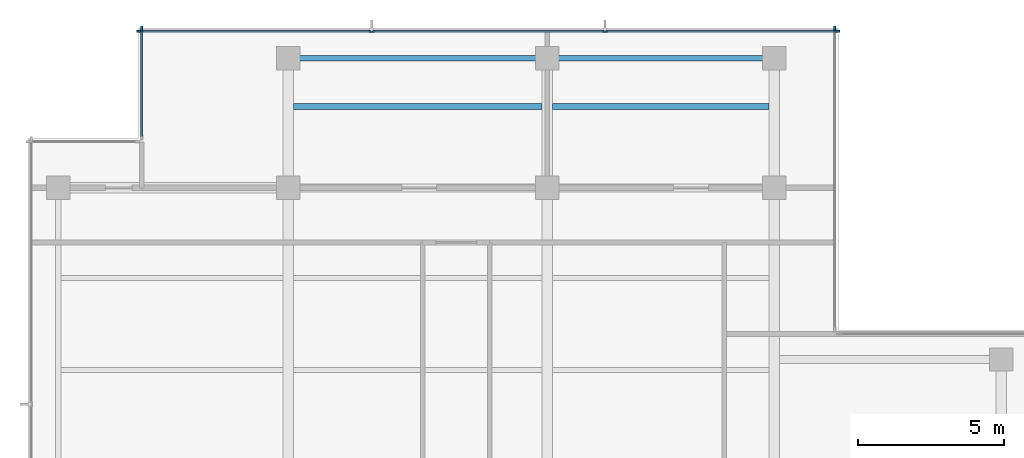
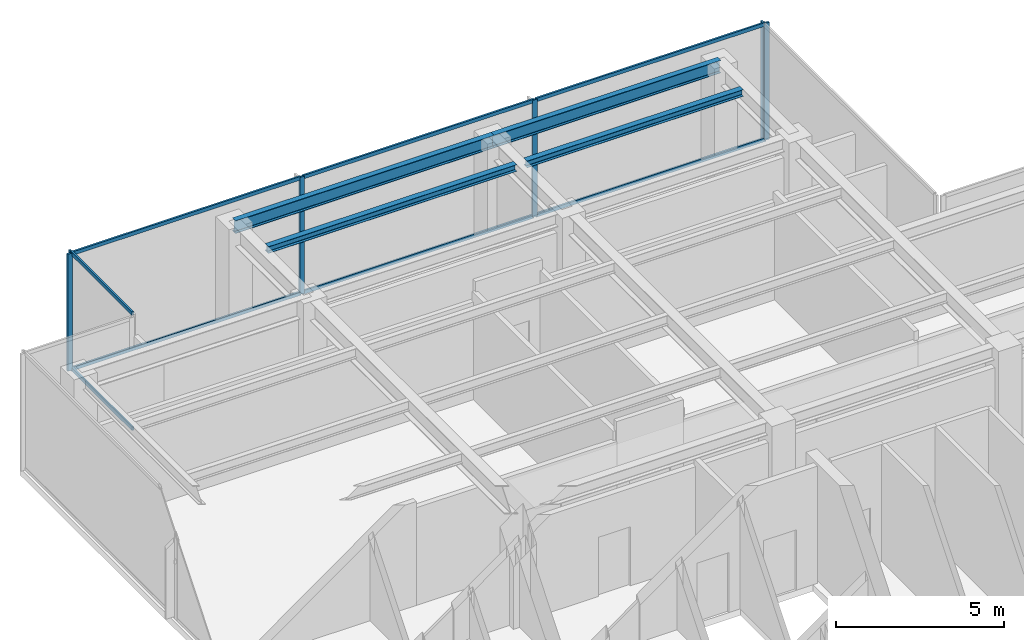
# One storey, part 4 of 11: 14 members, 4 beams, 3 elements without a shape of their own.
"""IFC4 building model written with IfcOpenShell, lengths in metres."""

import ifcopenshell
import ifcopenshell.guid

model = None  # the IFC model being written
_history = None  # IfcOwnerHistory: only IFC2X3 demands one
_inside = {}  # id of a spatial element -> (the spatial element, [elements in it])
_under = {}  # id of a project, library or spatial element -> (it, [spatial elements below it])
_declared = {}  # id of a project -> (the project, [libraries it declares])
_typed = {}  # id of a type object -> (the type object, [elements of that type])
_made_of = {}  # id of a material, layer set ... -> (it, [elements and type objects made of it])


def new_model(schema):
    """Start an empty IFC model of exactly this schema.

    Asked for "IFC4X3", IfcOpenShell would pick the latest addendum, in which some entities
    have other attributes; the version numbers below select the first issue.
    IFC2X3 requires an IfcOwnerHistory on every rooted entity: one is made here for all.
    """
    global model, _history
    if schema == "IFC4X3":
        model = ifcopenshell.file(schema_version=(4, 3, 0, 0))
    else:
        model = ifcopenshell.file(schema=schema)
    _inside.clear()
    _under.clear()
    _declared.clear()
    _typed.clear()
    _made_of.clear()
    _history = None
    if model.schema == "IFC2X3":
        org = make("IfcOrganization", Name="unknown")
        user = make(
            "IfcPersonAndOrganization",
            ThePerson=make("IfcPerson", FamilyName="unknown"),
            TheOrganization=org,
        )
        app = make(
            "IfcApplication",
            ApplicationDeveloper=org,
            Version="unknown",
            ApplicationFullName="unknown",
            ApplicationIdentifier="unknown",
        )
        _history = make(
            "IfcOwnerHistory",
            OwningUser=user,
            OwningApplication=app,
            ChangeAction="ADDED",
            CreationDate=0,
        )
    return model


def make(cls, **values):
    """One entity of the class cls with the attributes given. An attribute that is None is left unset."""
    return model.create_entity(
        cls, **{name: value for name, value in values.items() if value is not None}
    )


def rooted(cls, **values):
    """An entity with a GlobalId (a new one), such as an element, a storey or a relation."""
    return make(cls, GlobalId=ifcopenshell.guid.new(), OwnerHistory=_history, **values)


def si_unit(unit_type, name, prefix=None):
    """IfcSIUnit, for example si_unit("LENGTHUNIT", "METRE", prefix="MILLI")."""
    return make("IfcSIUnit", UnitType=unit_type, Prefix=prefix, Name=name)


def assignment(units):
    """IfcUnitAssignment: the units of a project."""
    return None if units is None else make("IfcUnitAssignment", Units=units)


def point(xyz):
    """IfcCartesianPoint."""
    return None if xyz is None else make("IfcCartesianPoint", Coordinates=xyz)


def direction(xyz):
    """IfcDirection."""
    return None if xyz is None else make("IfcDirection", DirectionRatios=xyz)


def frame(location, z_axis=None, x_axis=None):
    """IfcAxis2Placement3D, a coordinate frame: its origin and axes. An axis left out is left unset."""
    return make(
        "IfcAxis2Placement3D",
        Location=point(location),
        Axis=direction(z_axis),
        RefDirection=direction(x_axis),
    )


def frame_2d(location, x_axis=None):
    """IfcAxis2Placement2D, a coordinate frame in the plane: its origin and x axis."""
    return make(
        "IfcAxis2Placement2D", Location=point(location), RefDirection=direction(x_axis)
    )


def origin():
    """The frame at (0, 0, 0) with its axes left unset."""
    return frame((0.0, 0.0, 0.0))


def origin_2d():
    """The frame at (0, 0) in the plane with its x axis left unset."""
    return frame_2d((0.0, 0.0))


def place(relative_to, where):
    """IfcLocalPlacement: puts the frame where relative to a parent placement (None: the world)."""
    return make(
        "IfcLocalPlacement", PlacementRelTo=relative_to, RelativePlacement=where
    )


def context(
    kind, dimensions, precision=None, world=None, true_north=None, identifier=None
):
    """IfcGeometricRepresentationContext, for example the 3D "Model" context."""
    return make(
        "IfcGeometricRepresentationContext",
        ContextIdentifier=identifier,
        ContextType=kind,
        CoordinateSpaceDimension=dimensions,
        Precision=precision,
        WorldCoordinateSystem=world,
        TrueNorth=true_north,
    )


def subcontext(parent, identifier, kind, view, scale=None):
    """IfcGeometricRepresentationSubContext, for example "Body" below "Model"."""
    return make(
        "IfcGeometricRepresentationSubContext",
        ContextIdentifier=identifier,
        ContextType=kind,
        ParentContext=parent,
        TargetScale=scale,
        TargetView=view,
    )


def project(units=None, contexts=None):
    """IfcProject with its units and contexts."""
    return rooted(
        "IfcProject",
        Name="project",
        RepresentationContexts=contexts,
        UnitsInContext=assignment(units),
    )


def spatial(cls, under=None, at=None, **own):
    """A site, building, storey or space (cls), placed at a placement, below another one or the project."""
    s = rooted(cls, ObjectPlacement=at, **own)
    if under is not None:
        _under.setdefault(under.id(), (under, []))[1].append(s)
    return s


def profile(cls, at=None, kind="AREA", **sizes):
    """A parametric profile (cls). Its sizes go by their IFC names, for example OverallWidth=200.0."""
    return make(cls, ProfileType=kind, Position=at, **sizes)


def rectangle(**sizes):
    """IfcRectangleProfileDef."""
    return profile("IfcRectangleProfileDef", **sizes)


def i_section(**sizes):
    """IfcIShapeProfileDef."""
    return profile("IfcIShapeProfileDef", **sizes)


def extrude(swept, where, along, depth):
    """IfcExtrudedAreaSolid: the profile swept, set in the frame where, extruded along a direction by depth."""
    return make(
        "IfcExtrudedAreaSolid",
        SweptArea=swept,
        Position=where,
        ExtrudedDirection=direction(along),
        Depth=depth,
    )


def shape(context_of_items, identifier, shape_type, items):
    """IfcShapeRepresentation: the items that make up one representation, for example the "Body"."""
    return make(
        "IfcShapeRepresentation",
        ContextOfItems=context_of_items,
        RepresentationIdentifier=identifier,
        RepresentationType=shape_type,
        Items=items,
    )


def material(Name=None, Category=None):
    """IfcMaterial."""
    return make("IfcMaterial", Name=Name, Category=Category)


def layer(
    of_material, thickness, ventilated=None, Name=None, Category=None, Priority=None
):
    """IfcMaterialLayer: one layer of a wall or slab, of a material (None: an air gap)."""
    return make(
        "IfcMaterialLayer",
        Material=of_material,
        LayerThickness=thickness,
        IsVentilated=ventilated,
        Name=Name,
        Category=Category,
        Priority=Priority,
    )


def layer_set(layers, Name=None):
    """IfcMaterialLayerSet."""
    return make("IfcMaterialLayerSet", MaterialLayers=layers, LayerSetName=Name)


def material_profile(
    of_material, cross_section, Name=None, Category=None, Priority=None
):
    """IfcMaterialProfile: a cross section and its material."""
    return make(
        "IfcMaterialProfile",
        Name=Name,
        Material=of_material,
        Profile=cross_section,
        Priority=Priority,
        Category=Category,
    )


def profile_set(profiles, Name=None, composite=None):
    """IfcMaterialProfileSet."""
    return make(
        "IfcMaterialProfileSet",
        Name=Name,
        MaterialProfiles=profiles,
        CompositeProfile=composite,
    )


def made_of(thing, what):
    """Note that an element or type object is made of a material, layer set ...; save() writes the relation."""
    if what is not None:
        _made_of.setdefault(what.id(), (what, []))[1].append(thing)
    return thing


def type_object(cls, material=None, **own):
    """A type object (cls), such as IfcWallType, which elements share."""
    return made_of(rooted(cls, **own), material)


def element(
    cls,
    number,
    at=None,
    inside=None,
    cuts=None,
    type_object=None,
    material=None,
    context=None,
    identifier="Body",
    shape_type=None,
    held_by="IfcProductDefinitionShape",
    body=None,
    shapes=None,
    **own,
):
    """One element of the class cls, such as IfcWall. Its Tag is "e" and its number.

    at: its placement. inside: the storey or other place that contains it. cuts: it is an
    opening in that element (IfcRelVoidsElement). A single representation is given by context,
    identifier, shape_type and body (its items); several are given by shapes. held_by: the class
    of the entity that holds the representations. save() writes the other relations.
    """
    e = rooted(cls, Tag="e%d" % number, ObjectPlacement=at, **own)
    if body is not None:
        shapes = [shape(context, identifier, shape_type, body)]
    if shapes is not None:
        e.Representation = make(held_by, Representations=shapes)
    if inside is not None:
        _inside.setdefault(inside.id(), (inside, []))[1].append(e)
    if cuts is not None:
        rooted(
            "IfcRelVoidsElement", RelatingBuildingElement=cuts, RelatedOpeningElement=e
        )
    if type_object is not None:
        _typed.setdefault(type_object.id(), (type_object, []))[1].append(e)
    return made_of(e, material)


def aggregate(whole, parts):
    """IfcRelAggregates: a whole, such as a stair, and the parts it consists of."""
    return rooted("IfcRelAggregates", RelatingObject=whole, RelatedObjects=parts)


def save(model, path):
    """Write the relations noted so far, then the file.

    IfcRelAggregates (storeys below a building ...), IfcRelContainedInSpatialStructure (elements
    in a storey), IfcRelDefinesByType, IfcRelAssociatesMaterial and IfcRelDeclares: one each for
    every whole, place, type object, material and project.
    """
    for whole, parts in _under.values():
        aggregate(whole, parts)
    for where, things in _inside.values():
        rooted(
            "IfcRelContainedInSpatialStructure",
            RelatedElements=things,
            RelatingStructure=where,
        )
    for kind, things in _typed.values():
        rooted("IfcRelDefinesByType", RelatedObjects=things, RelatingType=kind)
    for what, things in _made_of.values():
        rooted("IfcRelAssociatesMaterial", RelatedObjects=things, RelatingMaterial=what)
    for by, libraries in _declared.values():
        rooted("IfcRelDeclares", RelatingContext=by, RelatedDefinitions=libraries)
    model.write(path)


model = new_model("IFC4")

# Units and contexts
model_context = context("Model", 3, precision=1e-05, world=origin(), true_north=direction((0.0, 1.0)))
body_context = subcontext(model_context, "Body", "Model", "MODEL_VIEW")
ifc_project = project(units=[si_unit("LENGTHUNIT", "METRE"), si_unit("AREAUNIT", "SQUARE_METRE"), si_unit("VOLUMEUNIT", "CUBIC_METRE"), si_unit("PLANEANGLEUNIT", "RADIAN"), si_unit("MASSUNIT", "GRAM", prefix="KILO")], contexts=[model_context])

# Site, building, storey
site_placement = place(None, origin())
site = spatial("IfcSite", under=ifc_project, at=site_placement, CompositionType="ELEMENT")
building_placement = place(site_placement, origin())
building = spatial("IfcBuilding", under=site, at=building_placement, Name="Qalmaran Belvedere Hotel", CompositionType="ELEMENT")
storey_placement = place(building_placement, frame((0.0, 0.0, 280.89990234375)))
storey = spatial("IfcBuildingStorey", under=building, at=storey_placement, Name="L73", CompositionType="ELEMENT", Elevation=280.89990234375)

# Beams
ifc_material_1 = material(Name="Steel S355JR", Category="steel")
ifc_material_profile_1 = material_profile(ifc_material_1, i_section(OverallWidth=0.201904296875, OverallDepth=0.2470703125, WebThickness=0.00732421875, FlangeThickness=0.010986328125, FilletRadius=0.011962890625, at=origin_2d()), Name="W250X49")
ifc_profile_set_1 = profile_set([ifc_material_profile_1], Name="Steel S355JR")
beam_type_1 = type_object("IfcBeamType", Name="BM-JST-W250X49", PredefinedType="JOIST", material=ifc_profile_set_1)
beam_1_placement = place(storey_placement, frame((20.4755859375, 35.800048828125, 4.13671875), z_axis=(1.0, 0.0, 0.0), x_axis=(0.0, 1.0, 0.0)))
element("IfcBeam", 1, at=beam_1_placement, inside=storey, type_object=beam_type_1, Name="L73 North Floor Joist 039", PredefinedType="JOIST", context=body_context, shape_type="SweptSolid", body=[
    extrude(i_section(OverallWidth=0.201904296875, OverallDepth=0.2470703125, WebThickness=0.00732421875, FlangeThickness=0.010986328125, FilletRadius=0.011962890625, at=origin_2d()), origin(), (0.0, 0.0, 1.0), 8.548828125),
])
beam_2_placement = place(storey_placement, frame((29.37548828125, 35.800048828125, 4.13671875), z_axis=(1.0, 0.0, 0.0), x_axis=(0.0, 1.0, 0.0)))
element("IfcBeam", 2, at=beam_2_placement, inside=storey, type_object=beam_type_1, Name="L73 North Floor Joist 040", PredefinedType="JOIST", context=body_context, shape_type="SweptSolid", body=[
    extrude(i_section(OverallWidth=0.201904296875, OverallDepth=0.2470703125, WebThickness=0.00732421875, FlangeThickness=0.010986328125, FilletRadius=0.011962890625, at=origin_2d()), origin(), (0.0, 0.0, 1.0), 7.448974609375),
])
ifc_material_profile_2 = material_profile(ifc_material_1, i_section(OverallWidth=0.19189453125, OverallDepth=0.462890625, WebThickness=0.010498046875, FlangeThickness=0.017578125, FilletRadius=0.01611328125, at=origin_2d()), Name="W460X89")
ifc_profile_set_2 = profile_set([ifc_material_profile_2], Name="Steel S355JR")
beam_type_2 = type_object("IfcBeamType", Name="BM-SP2-W460X89", PredefinedType="SPANDREL", material=ifc_profile_set_2)
beam_3_placement = place(storey_placement, frame((20.300048828125, 37.449951171875, 4.028564453125), z_axis=(1.0, 0.0, 0.0), x_axis=(0.0, 1.0, 0.0)))
element("IfcBeam", 3, at=beam_3_placement, inside=storey, type_object=beam_type_2, Name="L73 Perimeter Spandrel 04", PredefinedType="SPANDREL", context=body_context, shape_type="SweptSolid", body=[
    extrude(i_section(OverallWidth=0.19189453125, OverallDepth=0.462890625, WebThickness=0.010498046875, FlangeThickness=0.017578125, FilletRadius=0.01611328125, at=origin_2d()), origin(), (0.0, 0.0, 1.0), 8.89990234375),
])
beam_4_placement = place(storey_placement, frame((29.199951171875, 37.449951171875, 4.028564453125), z_axis=(1.0, 0.0, 0.0), x_axis=(0.0, 1.0, 0.0)))
element("IfcBeam", 4, at=beam_4_placement, inside=storey, type_object=beam_type_2, Name="L73 Perimeter Spandrel 05", PredefinedType="SPANDREL", context=body_context, shape_type="SweptSolid", body=[
    extrude(i_section(OverallWidth=0.19189453125, OverallDepth=0.462890625, WebThickness=0.010498046875, FlangeThickness=0.017578125, FilletRadius=0.01611328125, at=origin_2d()), origin(), (0.0, 0.0, 1.0), 7.800048828125),
])

# Curtain wall, member
ifc_material_2 = material(Name="Anodised Bronze Aluminium", Category="aluminium")
ifc_layer = layer(ifc_material_2, 0.18505859375, Name="Anodised Bronze Aluminium")
ifc_layer_set = layer_set([ifc_layer], Name="Anodised Bronze Aluminium")
curtain_wall_type = type_object("IfcCurtainWallType", Name="CW6-TOWER-SKY", PredefinedType="NOTDEFINED", material=ifc_layer_set)
curtain_wall_1_placement = place(storey_placement, origin())
curtain_wall_1 = element("IfcCurtainWall", 5, at=curtain_wall_1_placement, inside=storey, type_object=curtain_wall_type, Name="L73 Curtain Wall CW6", PredefinedType="NOTDEFINED")
ifc_material_profile_3 = material_profile(ifc_material_2, rectangle(XDim=0.06494140625, YDim=0.1650390625, at=origin_2d()), Name="CWM65X165")
ifc_profile_set_3 = profile_set([ifc_material_profile_3], Name="Anodised Bronze Aluminium")
member_type_1 = type_object("IfcMemberType", Name="CWM-65X165", PredefinedType="MULLION", material=ifc_profile_set_3)
member_1_placement = place(storey_placement, frame((39.080078125, 38.467529296875, 0.0), z_axis=(0.0, 0.0, 1.0), x_axis=(-1.0, 0.0, 0.0)))
member_1 = element("IfcMember", 6, at=member_1_placement, type_object=member_type_1, Name="CW6 mullion 2", PredefinedType="MULLION", context=body_context, shape_type="SweptSolid", body=[
    extrude(rectangle(XDim=0.06494140625, YDim=0.1650390625, at=origin_2d()), origin(), (0.0, 0.0, 1.0), 4.260009765625),
])
aggregate(curtain_wall_1, [member_1])

# Curtain wall, members
curtain_wall_2_placement = place(storey_placement, origin())
curtain_wall_2 = element("IfcCurtainWall", 7, at=curtain_wall_2_placement, inside=storey, type_object=curtain_wall_type, Name="L73 Curtain Wall CW6", PredefinedType="NOTDEFINED")
member_2_placement = place(storey_placement, frame((39.16748046875, 38.3798828125, 0.0), z_axis=(0.0, 0.0, 1.0), x_axis=(0.0, -1.0, 0.0)))
member_2 = element("IfcMember", 8, at=member_2_placement, type_object=member_type_1, Name="CW6 mullion 1", PredefinedType="MULLION", context=body_context, shape_type="SweptSolid", body=[
    extrude(rectangle(XDim=0.06494140625, YDim=0.1650390625, at=origin_2d()), origin(), (0.0, 0.0, 1.0), 4.260009765625),
])
member_3_placement = place(storey_placement, frame((31.183349609375, 38.3798828125, 0.0), z_axis=(0.0, 0.0, 1.0), x_axis=(0.0, -1.0, 0.0)))
member_3 = element("IfcMember", 9, at=member_3_placement, type_object=member_type_1, Name="CW6 mullion 2", PredefinedType="MULLION", context=body_context, shape_type="SweptSolid", body=[
    extrude(rectangle(XDim=0.06494140625, YDim=0.1650390625, at=origin_2d()), origin(), (0.0, 0.0, 1.0), 4.260009765625),
])
member_4_placement = place(storey_placement, frame((23.166748046875, 38.3798828125, 0.0), z_axis=(0.0, 0.0, 1.0), x_axis=(0.0, -1.0, 0.0)))
member_4 = element("IfcMember", 10, at=member_4_placement, type_object=member_type_1, Name="CW6 mullion 3", PredefinedType="MULLION", context=body_context, shape_type="SweptSolid", body=[
    extrude(rectangle(XDim=0.06494140625, YDim=0.1650390625, at=origin_2d()), origin(), (0.0, 0.0, 1.0), 4.260009765625),
])
member_5_placement = place(storey_placement, frame((15.1826171875, 38.3798828125, 0.0), z_axis=(0.0, 0.0, 1.0), x_axis=(0.0, -1.0, 0.0)))
member_5 = element("IfcMember", 11, at=member_5_placement, type_object=member_type_1, Name="CW6 mullion 4", PredefinedType="MULLION", context=body_context, shape_type="SweptSolid", body=[
    extrude(rectangle(XDim=0.06494140625, YDim=0.1650390625, at=origin_2d()), origin(), (0.0, 0.0, 1.0), 4.260009765625),
])

# Curtain wall, member
curtain_wall_3_placement = place(storey_placement, origin())
curtain_wall_3 = element("IfcCurtainWall", 12, at=curtain_wall_3_placement, inside=storey, type_object=curtain_wall_type, Name="L73 Curtain Wall CW6", PredefinedType="NOTDEFINED")
member_6_placement = place(storey_placement, frame((15.27001953125, 38.467529296875, 0.0), z_axis=(0.0, 0.0, 1.0), x_axis=(1.0, 0.0, 0.0)))
member_6 = element("IfcMember", 13, at=member_6_placement, type_object=member_type_1, Name="CW6 mullion 1", PredefinedType="MULLION", context=body_context, shape_type="SweptSolid", body=[
    extrude(rectangle(XDim=0.06494140625, YDim=0.1650390625, at=origin_2d()), origin(), (0.0, 0.0, 1.0), 4.260009765625),
])

# Member
ifc_material_profile_4 = material_profile(ifc_material_2, rectangle(XDim=0.06494140625, YDim=0.1298828125, at=origin_2d()), Name="CWT65X130")
ifc_profile_set_4 = profile_set([ifc_material_profile_4], Name="Anodised Bronze Aluminium")
member_type_2 = type_object("IfcMemberType", Name="CWT-65X130", PredefinedType="USERDEFINED", material=ifc_profile_set_4)
member_7_placement = place(storey_placement, frame((39.135009765625, 38.3798828125, 0.03271484375), z_axis=(-1.0, 0.0, 0.0), x_axis=(0.0, -1.0, 0.0)))
member_7 = element("IfcMember", 14, at=member_7_placement, type_object=member_type_2, Name="CW6 transom 1.1", ObjectType="TRANSOM", PredefinedType="USERDEFINED", context=body_context, shape_type="SweptSolid", body=[
    extrude(rectangle(XDim=0.06494140625, YDim=0.1298828125, at=origin_2d()), origin(), (0.0, 0.0, 1.0), 7.919189453125),
])

member_8_placement = place(storey_placement, frame((39.135009765625, 38.3798828125, 4.2275390625), z_axis=(-1.0, 0.0, 0.0), x_axis=(0.0, -1.0, 0.0)))
member_8 = element("IfcMember", 15, at=member_8_placement, type_object=member_type_2, Name="CW6 transom 1.2", ObjectType="TRANSOM", PredefinedType="USERDEFINED", context=body_context, shape_type="SweptSolid", body=[
    extrude(rectangle(XDim=0.06494140625, YDim=0.1298828125, at=origin_2d()), origin(), (0.0, 0.0, 1.0), 7.919189453125),
])

member_9_placement = place(storey_placement, frame((31.15087890625, 38.3798828125, 0.03271484375), z_axis=(-1.0, 0.0, 0.0), x_axis=(0.0, -1.0, 0.0)))
member_9 = element("IfcMember", 16, at=member_9_placement, type_object=member_type_2, Name="CW6 transom 2.1", ObjectType="TRANSOM", PredefinedType="USERDEFINED", context=body_context, shape_type="SweptSolid", body=[
    extrude(rectangle(XDim=0.06494140625, YDim=0.1298828125, at=origin_2d()), origin(), (0.0, 0.0, 1.0), 7.95166015625),
])

member_10_placement = place(storey_placement, frame((31.15087890625, 38.3798828125, 4.2275390625), z_axis=(-1.0, 0.0, 0.0), x_axis=(0.0, -1.0, 0.0)))
member_10 = element("IfcMember", 17, at=member_10_placement, type_object=member_type_2, Name="CW6 transom 2.2", ObjectType="TRANSOM", PredefinedType="USERDEFINED", context=body_context, shape_type="SweptSolid", body=[
    extrude(rectangle(XDim=0.06494140625, YDim=0.1298828125, at=origin_2d()), origin(), (0.0, 0.0, 1.0), 7.95166015625),
])

member_11_placement = place(storey_placement, frame((23.13427734375, 38.3798828125, 0.03271484375), z_axis=(-1.0, 0.0, 0.0), x_axis=(0.0, -1.0, 0.0)))
member_11 = element("IfcMember", 18, at=member_11_placement, type_object=member_type_2, Name="CW6 transom 3.1", ObjectType="TRANSOM", PredefinedType="USERDEFINED", context=body_context, shape_type="SweptSolid", body=[
    extrude(rectangle(XDim=0.06494140625, YDim=0.1298828125, at=origin_2d()), origin(), (0.0, 0.0, 1.0), 7.919189453125),
])

member_12_placement = place(storey_placement, frame((23.13427734375, 38.3798828125, 4.2275390625), z_axis=(-1.0, 0.0, 0.0), x_axis=(0.0, -1.0, 0.0)))
member_12 = element("IfcMember", 19, at=member_12_placement, type_object=member_type_2, Name="CW6 transom 3.2", ObjectType="TRANSOM", PredefinedType="USERDEFINED", context=body_context, shape_type="SweptSolid", body=[
    extrude(rectangle(XDim=0.06494140625, YDim=0.1298828125, at=origin_2d()), origin(), (0.0, 0.0, 1.0), 7.919189453125),
])

aggregate(curtain_wall_2, [member_2, member_3, member_4, member_5, member_7, member_8, member_9, member_10, member_11, member_12])

member_13_placement = place(storey_placement, frame((15.27001953125, 38.43505859375, 0.03271484375), z_axis=(0.0, -1.0, 0.0), x_axis=(1.0, 0.0, 0.0)))
member_13 = element("IfcMember", 20, at=member_13_placement, type_object=member_type_2, Name="CW6 transom 1.1", ObjectType="TRANSOM", PredefinedType="USERDEFINED", context=body_context, shape_type="SweptSolid", body=[
    extrude(rectangle(XDim=0.06494140625, YDim=0.1298828125, at=origin_2d()), origin(), (0.0, 0.0, 1.0), 3.670166015625),
])

member_14_placement = place(storey_placement, frame((15.27001953125, 38.43505859375, 4.2275390625), z_axis=(0.0, -1.0, 0.0), x_axis=(1.0, 0.0, 0.0)))
member_14 = element("IfcMember", 21, at=member_14_placement, type_object=member_type_2, Name="CW6 transom 1.2", ObjectType="TRANSOM", PredefinedType="USERDEFINED", context=body_context, shape_type="SweptSolid", body=[
    extrude(rectangle(XDim=0.06494140625, YDim=0.1298828125, at=origin_2d()), origin(), (0.0, 0.0, 1.0), 3.670166015625),
])

aggregate(curtain_wall_3, [member_6, member_13, member_14])

save(model, "model.ifc")
